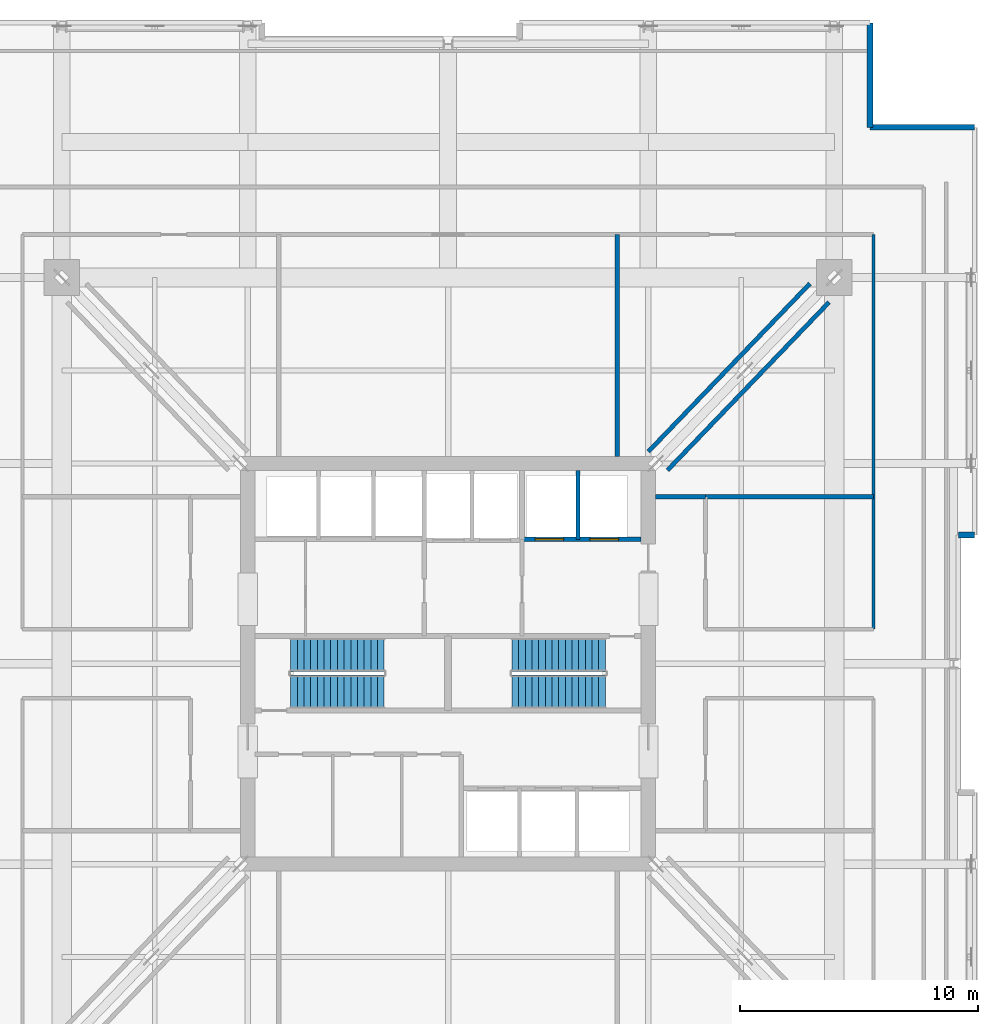
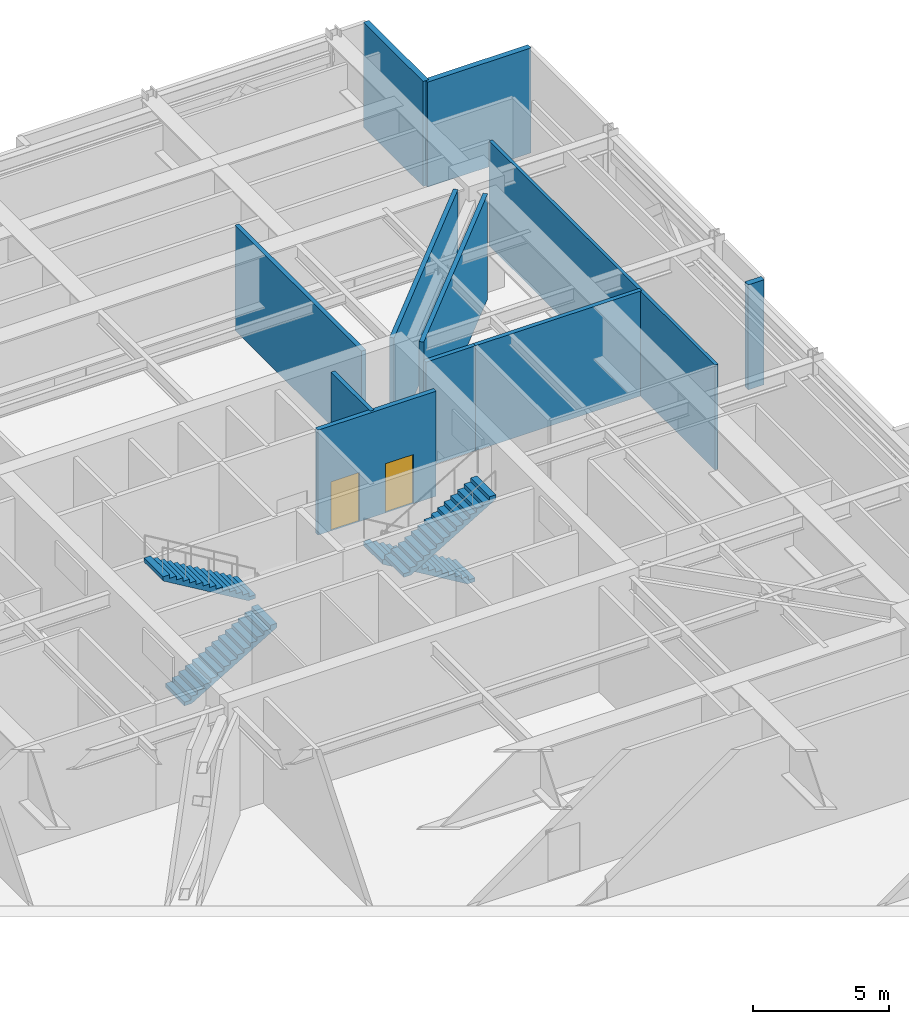
# One storey, part 9 of 13: 11 walls, 4 stair flights, 2 doors, 2 openings, 2 elements without a shape of their own.
"""IFC4 building model written with IfcOpenShell, lengths in metres."""

from ifc_helpers import new_model, si_unit, direction, frame, frame_2d, origin, place, context, subcontext, project, spatial, polyline, rectangle, outline, extrude, material, layer, layer_set, type_object, element, fill, aggregate, save


model = new_model("IFC4")

# Units and contexts
model_context = context("Model", 3, precision=1e-05, world=origin(), true_north=direction((0.0, 1.0)))
body_context = subcontext(model_context, "Body", "Model", "MODEL_VIEW")
ifc_project = project(units=[si_unit("LENGTHUNIT", "METRE"), si_unit("AREAUNIT", "SQUARE_METRE"), si_unit("VOLUMEUNIT", "CUBIC_METRE"), si_unit("PLANEANGLEUNIT", "RADIAN"), si_unit("MASSUNIT", "GRAM", prefix="KILO")], contexts=[model_context])

# Site, building, storey
site_placement = place(None, origin())
site = spatial("IfcSite", under=ifc_project, at=site_placement, CompositionType="ELEMENT")
building_placement = place(site_placement, origin())
building = spatial("IfcBuilding", under=site, at=building_placement, Name="Drelvath Grand Hotel", CompositionType="ELEMENT")
storey_placement = place(building_placement, frame((0.0, 0.0, 140.800048828125)))
storey = spatial("IfcBuildingStorey", under=building, at=storey_placement, Name="L36", CompositionType="ELEMENT", Elevation=140.800048828125)

# Wall, openings, doors
ifc_material_1 = material(Name="Concrete C40/50", Category="concrete")
ifc_layer_1 = layer(ifc_material_1, 0.199951171875)
ifc_layer_set_1 = layer_set([ifc_layer_1], Name="Concrete C40/50")
wall_type_1 = type_object("IfcWallType", Name="Core Hoistway Fire Wall 200", PredefinedType="SOLIDWALL", material=ifc_layer_set_1)
wall_1_placement = place(storey_placement, frame((3.10009765625, 32.219970703125, 0.0), z_axis=(0.0, 0.0, 1.0), x_axis=(1.0, 0.0, 0.0)))
wall_1 = element("IfcWall", 1, at=wall_1_placement, inside=storey, type_object=wall_type_1, Name="L36 FSAE Hoistway Front Wall", PredefinedType="SOLIDWALL", context=body_context, shape_type="SweptSolid", body=[
    extrude(rectangle(XDim=5.0, YDim=0.199951171875, at=frame_2d((2.5, 0.0))), origin(), (0.0, 0.0, 1.0), 4.699951171875),
])
opening_1_placement = place(wall_1_placement, frame((0.550048828125, 0.0, 0.0)))
opening_1 = element("IfcOpeningElement", 2, at=opening_1_placement, cuts=wall_1, Name="Opening LD-FSAE-1", PredefinedType="OPENING", context=body_context, shape_type="SweptSolid", body=[
    extrude(rectangle(XDim=1.199951171875, YDim=2.199951171875, at=frame_2d((0.60009765625, 1.10009765625))), frame((0.0, 0.10986328125, 0.0), z_axis=(0.0, -1.0, 0.0), x_axis=(1.0, 0.0, 0.0)), (0.0, 0.0, 1.0), 0.219970703125),
])
opening_2_placement = place(wall_1_placement, frame((2.85009765625, 0.0, 0.0)))
opening_2 = element("IfcOpeningElement", 3, at=opening_2_placement, cuts=wall_1, Name="Opening LD-FSAE-2", PredefinedType="OPENING", context=body_context, shape_type="SweptSolid", body=[
    extrude(rectangle(XDim=1.199951171875, YDim=2.199951171875, at=frame_2d((0.60009765625, 1.10009765625))), frame((0.0, 0.10986328125, 0.0), z_axis=(0.0, -1.0, 0.0), x_axis=(1.0, 0.0, 0.0)), (0.0, 0.0, 1.0), 0.219970703125),
])
ifc_material_2 = material(Name="Stainless Steel S355", Category="steel")
door_type = type_object("IfcDoorType", Name="FSAE Lift Sliding Landing Door 1200x2200", OperationType="NOTDEFINED", PredefinedType="DOOR", material=ifc_material_2)
door_1_placement = place(opening_1_placement, origin())
door_1 = element("IfcDoor", 4, at=door_1_placement, inside=storey, type_object=door_type, Name="L36 Lift FSAE-1 Landing Door", OperationType="SLIDING_TO_LEFT", OverallHeight=2.199951171875, OverallWidth=1.199951171875, PredefinedType="DOOR", context=body_context, shape_type="SweptSolid", body=[
    extrude(rectangle(XDim=1.199951171875, YDim=2.199951171875, at=frame_2d((0.60009765625, 1.10009765625))), frame((0.0, 0.02490234375, 0.0), z_axis=(0.0, -1.0, 0.0), x_axis=(1.0, 0.0, 0.0)), (0.0, 0.0, 1.0), 0.050048828125),
])
fill(opening_1, door_1)
door_2_placement = place(opening_2_placement, origin())
door_2 = element("IfcDoor", 5, at=door_2_placement, inside=storey, type_object=door_type, Name="L36 Lift FSAE-2 Landing Door", OperationType="SLIDING_TO_LEFT", OverallHeight=2.199951171875, OverallWidth=1.199951171875, PredefinedType="DOOR", context=body_context, shape_type="SweptSolid", body=[
    extrude(rectangle(XDim=1.199951171875, YDim=2.199951171875, at=frame_2d((0.60009765625, 1.10009765625))), frame((0.0, 0.02490234375, 0.0), z_axis=(0.0, -1.0, 0.0), x_axis=(1.0, 0.0, 0.0)), (0.0, 0.0, 1.0), 0.050048828125),
])
fill(opening_2, door_2)

# Walls
ifc_material_3 = material(Name="Gypsum Fireboard Partition")
ifc_layer_2 = layer(ifc_material_3, 0.1650390625)
ifc_layer_set_2 = layer_set([ifc_layer_2], Name="Gypsum Fireboard Partition")
wall_type_2 = type_object("IfcWallType", Name="Core Shaft Partition 165", PredefinedType="PARTITIONING", material=ifc_layer_set_2)
wall_2_placement = place(storey_placement, frame((5.449951171875, 32.219970703125, 0.0), z_axis=(0.0, 0.0, 1.0), x_axis=(0.0, 1.0, 0.0)))
element("IfcWall", 6, at=wall_2_placement, inside=storey, type_object=wall_type_2, Name="L36 FSAE Hoistway Divider", PredefinedType="PARTITIONING", context=body_context, shape_type="SweptSolid", body=[
    extrude(rectangle(XDim=2.880126953125, YDim=0.1650390625, at=frame_2d((1.43994140625, 0.0))), origin(), (0.0, 0.0, 1.0), 4.699951171875),
])
ifc_layer_3 = layer(ifc_material_3, 0.135009765625)
ifc_layer_set_3 = layer_set([ifc_layer_3], Name="Gypsum Fireboard Partition")
wall_type_3 = type_object("IfcWallType", Name="Corridor Fire Barrier Wall 135", PredefinedType="PARTITIONING", material=ifc_layer_set_3)
wall_3_placement = place(storey_placement, frame((17.85009765625, 28.449951171875, 0.0), z_axis=(0.0, 0.0, 1.0), x_axis=(0.0, 1.0, 0.0)))
element("IfcWall", 7, at=wall_3_placement, inside=storey, type_object=wall_type_3, Name="L36 East Outer Leg Inner N", PredefinedType="PARTITIONING", context=body_context, shape_type="SweptSolid", body=[
    extrude(rectangle(XDim=16.550048828125, YDim=0.135009765625, at=frame_2d((8.27490234375, 0.0))), origin(), (0.0, 0.0, 1.0), 4.699951171875),
])
ifc_layer_4 = layer(ifc_material_3, 0.179931640625)
ifc_layer_set_4 = layer_set([ifc_layer_4], Name="Gypsum Fireboard Partition")
wall_type_4 = type_object("IfcWallType", Name="FSAE Smoke Lobby Fire Wall 180", PredefinedType="SOLIDWALL", material=ifc_layer_set_4)
for number, where, z_axis, x_axis, name in (
    (8, (9.20751953125, 35.1201171875, 0.0), (0.0, 0.0, 1.0), (0.693128689913, 0.720813858926, 0.0), "L36 Truss NE Fire Bulkhead A"),
    (9, (8.400390625, 35.896240234375, 0.0), (0.0, 0.0, 1.0), (0.693103223405, 0.720838346445, 0.0), "L36 Truss NE Fire Bulkhead B"),
):
    element("IfcWall", number, at=place(storey_placement, frame(where, z_axis=z_axis, x_axis=x_axis)), inside=storey, type_object=wall_type_4, Name=name, PredefinedType="SOLIDWALL", context=body_context, shape_type="SweptSolid", body=[
        extrude(rectangle(XDim=9.770751953125, YDim=0.179931640625, at=frame_2d((4.88525390625, 0.0))), origin(), (0.0, 0.0, 1.0), 4.699951171875),
    ])
wall_4_placement = place(storey_placement, frame((8.699951171875, 34.0, 0.0), z_axis=(0.0, 0.0, 1.0), x_axis=(1.0, 0.0, 0.0)))
element("IfcWall", 10, at=wall_4_placement, inside=storey, type_object=wall_type_4, Name="L36 Plant East Foyer North End", PredefinedType="SOLIDWALL", context=body_context, shape_type="SweptSolid", body=[
    extrude(rectangle(XDim=2.10009765625, YDim=0.179931640625, at=frame_2d((1.050048828125, 0.0))), origin(), (0.0, 0.0, 1.0), 4.699951171875),
])
wall_5_placement = place(storey_placement, frame((7.10009765625, 35.699951171875, 0.0), z_axis=(0.0, 0.0, 1.0), x_axis=(0.0, 1.0, 0.0)))
element("IfcWall", 11, at=wall_5_placement, inside=storey, type_object=wall_type_4, Name="L36 North Refuge Inner East Wall", PredefinedType="SOLIDWALL", context=body_context, shape_type="SweptSolid", body=[
    extrude(rectangle(XDim=9.300048828125, YDim=0.179931640625, at=frame_2d((4.64990234375, 0.0))), origin(), (0.0, 0.0, 1.0), 4.699951171875),
])
wall_6_placement = place(storey_placement, frame((10.800048828125, 34.0, 0.0), z_axis=(0.0, 0.0, 1.0), x_axis=(1.0, 0.0, 0.0)))
element("IfcWall", 12, at=wall_6_placement, inside=storey, type_object=wall_type_4, Name="L36 East Inner Plant North Wall", PredefinedType="SOLIDWALL", context=body_context, shape_type="SweptSolid", body=[
    extrude(rectangle(XDim=7.050048828125, YDim=0.179931640625, at=frame_2d((3.52490234375, 0.0))), origin(), (0.0, 0.0, 1.0), 4.699951171875),
])
ifc_material_4 = material(Name="Pale-Metal Insulated Aluminium Spandrel Assembly", Category="aluminium")
ifc_layer_5 = layer(ifc_material_4, 0.239990234375)
ifc_layer_set_5 = layer_set([ifc_layer_5], Name="Pale-Metal Insulated Aluminium Spandrel Assembly")
wall_type_5 = type_object("IfcWallType", Name="Tower Insulated Metal Spandrel Closure Wall 240", PredefinedType="STANDARD", material=ifc_layer_set_5)
wall_7_placement = place(storey_placement, frame((17.699951171875, 53.8798828125, 0.0), z_axis=(0.0, 0.0, 1.0), x_axis=(0.0, -1.0, 0.0)))
element("IfcWall", 13, at=wall_7_placement, inside=storey, type_object=wall_type_5, Name="L36 Notched Corner Return Spandrel Wall CNE1", PredefinedType="STANDARD", context=body_context, shape_type="SweptSolid", body=[
    extrude(rectangle(XDim=4.3798828125, YDim=0.239990234375, at=frame_2d((2.18994140625, 0.0))), origin(), (0.0, 0.0, 1.0), 4.699951171875),
])
wall_8_placement = place(storey_placement, frame((17.699951171875, 49.5, 0.0), z_axis=(0.0, 0.0, 1.0), x_axis=(1.0, 0.0, 0.0)))
element("IfcWall", 14, at=wall_8_placement, inside=storey, type_object=wall_type_5, Name="L36 Notched Corner Return Spandrel Wall CNE2", PredefinedType="STANDARD", context=body_context, shape_type="SweptSolid", body=[
    extrude(rectangle(XDim=4.380126953125, YDim=0.239990234375, at=frame_2d((2.18994140625, 0.0))), origin(), (0.0, 0.0, 1.0), 4.699951171875),
])
wall_9_placement = place(storey_placement, frame((22.080078125, 32.39990234375, 0.0), z_axis=(0.0, 0.0, 1.0), x_axis=(-1.0, 0.0, 0.0)))
element("IfcWall", 15, at=wall_9_placement, inside=storey, type_object=wall_type_5, Name="L36 Notched Corner Return Spandrel Wall RE1", PredefinedType="STANDARD", context=body_context, shape_type="SweptSolid", body=[
    extrude(rectangle(XDim=0.68017578125, YDim=0.239990234375, at=frame_2d((0.340087890625, 0.0))), origin(), (0.0, 0.0, 1.0), 4.699951171875),
])

# Stair, stair flights
stair_type = type_object("IfcStairType", Name="Dogleg Exit Stair W1400-R166.7", PredefinedType="HALF_TURN_STAIR", material=ifc_material_1)
stair_1_placement = place(storey_placement, origin())
stair_1 = element("IfcStair", 16, at=stair_1_placement, inside=storey, type_object=stair_type, Name="L36 Core Exit Stair ST-1", PredefinedType="HALF_TURN_STAIR")
stair_flight_type = type_object("IfcStairFlightType", Name="Concrete Stair Flight W1400-R166.7", PredefinedType="STRAIGHT", material=ifc_material_1)
stair_flight_1_placement = place(storey_placement, frame((-6.60009765625, 25.820068359375, 0.0), z_axis=(0.0, 0.0, 1.0), x_axis=(1.0, 0.0, 0.0)))
stair_flight_1 = element("IfcStairFlight", 17, at=stair_flight_1_placement, type_object=stair_flight_type, Name="ST-1 flight 1", NumberOfRisers=15, NumberOfTreads=14, PredefinedType="STRAIGHT", RiserHeight=0.166666667, TreadLength=0.28, context=body_context, shape_type="SweptSolid", body=[
    extrude(outline(polyline([(0.0, 0.0), (0.0, 0.166748046875), (0.280029296875, 0.166748046875), (0.280029296875, 0.333251953125), (0.56005859375, 0.333251953125), (0.56005859375, 0.5), (0.840087890625, 0.5), (0.840087890625, 0.666748046875), (1.1201171875, 0.666748046875), (1.1201171875, 0.833251953125), (1.39990234375, 0.833251953125), (1.39990234375, 1.0), (1.679931640625, 1.0), (1.679931640625, 1.166748046875), (1.9599609375, 1.166748046875), (1.9599609375, 1.333251953125), (2.239990234375, 1.333251953125), (2.239990234375, 1.5), (2.52001953125, 1.5), (2.52001953125, 1.666748046875), (2.800048828125, 1.666748046875), (2.800048828125, 1.833251953125), (3.080078125, 1.833251953125), (3.080078125, 2.0), (3.360107421875, 2.0), (3.360107421875, 2.166748046875), (3.639892578125, 2.166748046875), (3.639892578125, 2.333251953125), (3.919921875, 2.333251953125), (3.919921875, 2.5), (3.919921875, 2.147216796875), (0.312744140625, 0.0), (0.0, 0.0)])), frame((0.0, 0.699951171875, 0.0), z_axis=(0.0, -1.0, 0.0), x_axis=(1.0, 0.0, 0.0)), (0.0, 0.0, 1.0), 1.39990234375),
])
stair_flight_2_placement = place(storey_placement, frame((-2.679931640625, 27.3798828125, 2.5), z_axis=(0.0, 0.0, 1.0), x_axis=(-1.0, 0.0, 0.0)))
stair_flight_2 = element("IfcStairFlight", 18, at=stair_flight_2_placement, type_object=stair_flight_type, Name="ST-1 flight 2", NumberOfRisers=15, NumberOfTreads=14, PredefinedType="STRAIGHT", RiserHeight=0.166666667, TreadLength=0.28, context=body_context, shape_type="SweptSolid", body=[
    extrude(outline(polyline([(0.0, 0.0), (0.0, 0.166748046875), (0.280029296875, 0.166748046875), (0.280029296875, 0.333251953125), (0.56005859375, 0.333251953125), (0.56005859375, 0.5), (0.840087890625, 0.5), (0.840087890625, 0.666748046875), (1.1201171875, 0.666748046875), (1.1201171875, 0.833251953125), (1.39990234375, 0.833251953125), (1.39990234375, 1.0), (1.679931640625, 1.0), (1.679931640625, 1.166748046875), (1.9599609375, 1.166748046875), (1.9599609375, 1.333251953125), (2.239990234375, 1.333251953125), (2.239990234375, 1.5), (2.52001953125, 1.5), (2.52001953125, 1.666748046875), (2.800048828125, 1.666748046875), (2.800048828125, 1.833251953125), (3.080078125, 1.833251953125), (3.080078125, 2.0), (3.360107421875, 2.0), (3.360107421875, 2.166748046875), (3.639892578125, 2.166748046875), (3.639892578125, 2.333251953125), (3.919921875, 2.333251953125), (3.919921875, 2.5), (3.919921875, 2.147216796875), (0.312744140625, 0.0), (0.0, 0.0)])), frame((0.0, 0.699951171875, 0.0), z_axis=(0.0, -1.0, 0.0), x_axis=(1.0, 0.0, 0.0)), (0.0, 0.0, 1.0), 1.39990234375),
])
aggregate(stair_1, [stair_flight_1, stair_flight_2])

stair_2_placement = place(storey_placement, origin())
stair_2 = element("IfcStair", 19, at=stair_2_placement, inside=storey, type_object=stair_type, Name="L36 Core Exit Stair ST-2", PredefinedType="HALF_TURN_STAIR")
stair_flight_3_placement = place(storey_placement, frame((6.60009765625, 27.3798828125, 0.0), z_axis=(0.0, 0.0, 1.0), x_axis=(-1.0, 0.0, 0.0)))
stair_flight_3 = element("IfcStairFlight", 20, at=stair_flight_3_placement, type_object=stair_flight_type, Name="ST-2 flight 1", NumberOfRisers=15, NumberOfTreads=14, PredefinedType="STRAIGHT", RiserHeight=0.166666667, TreadLength=0.28, context=body_context, shape_type="SweptSolid", body=[
    extrude(outline(polyline([(0.0, 0.0), (0.0, 0.166748046875), (0.280029296875, 0.166748046875), (0.280029296875, 0.333251953125), (0.56005859375, 0.333251953125), (0.56005859375, 0.5), (0.840087890625, 0.5), (0.840087890625, 0.666748046875), (1.1201171875, 0.666748046875), (1.1201171875, 0.833251953125), (1.39990234375, 0.833251953125), (1.39990234375, 1.0), (1.679931640625, 1.0), (1.679931640625, 1.166748046875), (1.9599609375, 1.166748046875), (1.9599609375, 1.333251953125), (2.239990234375, 1.333251953125), (2.239990234375, 1.5), (2.52001953125, 1.5), (2.52001953125, 1.666748046875), (2.800048828125, 1.666748046875), (2.800048828125, 1.833251953125), (3.080078125, 1.833251953125), (3.080078125, 2.0), (3.360107421875, 2.0), (3.360107421875, 2.166748046875), (3.639892578125, 2.166748046875), (3.639892578125, 2.333251953125), (3.919921875, 2.333251953125), (3.919921875, 2.5), (3.919921875, 2.147216796875), (0.312744140625, 0.0), (0.0, 0.0)])), frame((0.0, 0.699951171875, 0.0), z_axis=(0.0, -1.0, 0.0), x_axis=(1.0, 0.0, 0.0)), (0.0, 0.0, 1.0), 1.39990234375),
])
stair_flight_4_placement = place(storey_placement, frame((2.679931640625, 25.820068359375, 2.5), z_axis=(0.0, 0.0, 1.0), x_axis=(1.0, 0.0, 0.0)))
stair_flight_4 = element("IfcStairFlight", 21, at=stair_flight_4_placement, type_object=stair_flight_type, Name="ST-2 flight 2", NumberOfRisers=15, NumberOfTreads=14, PredefinedType="STRAIGHT", RiserHeight=0.166666667, TreadLength=0.28, context=body_context, shape_type="SweptSolid", body=[
    extrude(outline(polyline([(0.0, 0.0), (0.0, 0.166748046875), (0.280029296875, 0.166748046875), (0.280029296875, 0.333251953125), (0.56005859375, 0.333251953125), (0.56005859375, 0.5), (0.840087890625, 0.5), (0.840087890625, 0.666748046875), (1.1201171875, 0.666748046875), (1.1201171875, 0.833251953125), (1.39990234375, 0.833251953125), (1.39990234375, 1.0), (1.679931640625, 1.0), (1.679931640625, 1.166748046875), (1.9599609375, 1.166748046875), (1.9599609375, 1.333251953125), (2.239990234375, 1.333251953125), (2.239990234375, 1.5), (2.52001953125, 1.5), (2.52001953125, 1.666748046875), (2.800048828125, 1.666748046875), (2.800048828125, 1.833251953125), (3.080078125, 1.833251953125), (3.080078125, 2.0), (3.360107421875, 2.0), (3.360107421875, 2.166748046875), (3.639892578125, 2.166748046875), (3.639892578125, 2.333251953125), (3.919921875, 2.333251953125), (3.919921875, 2.5), (3.919921875, 2.147216796875), (0.312744140625, 0.0), (0.0, 0.0)])), frame((0.0, 0.699951171875, 0.0), z_axis=(0.0, -1.0, 0.0), x_axis=(1.0, 0.0, 0.0)), (0.0, 0.0, 1.0), 1.39990234375),
])
aggregate(stair_2, [stair_flight_3, stair_flight_4])

save(model, "model.ifc")
